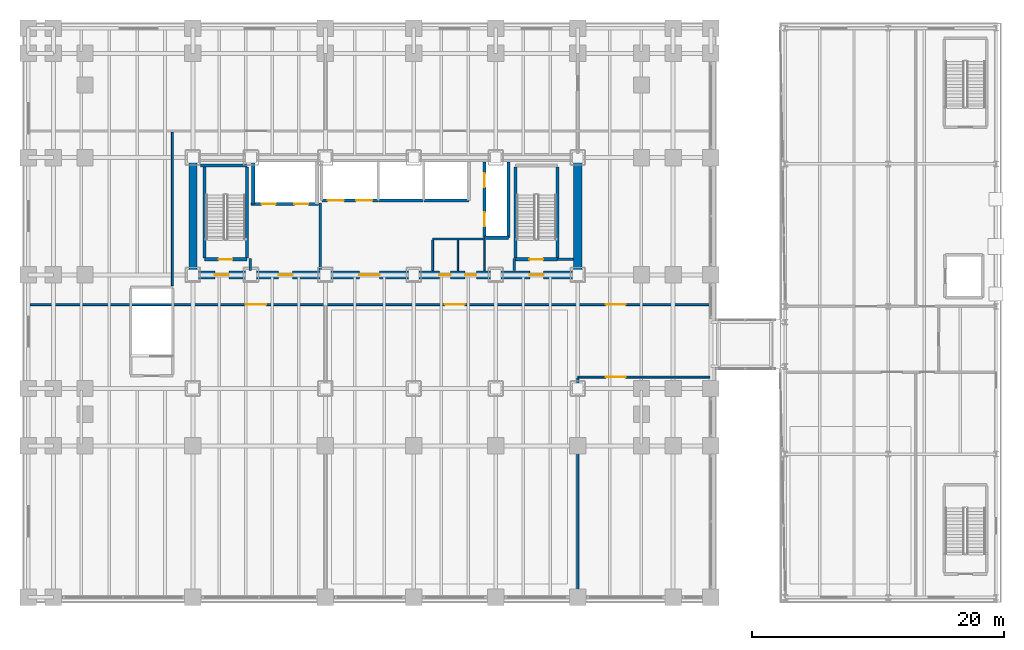
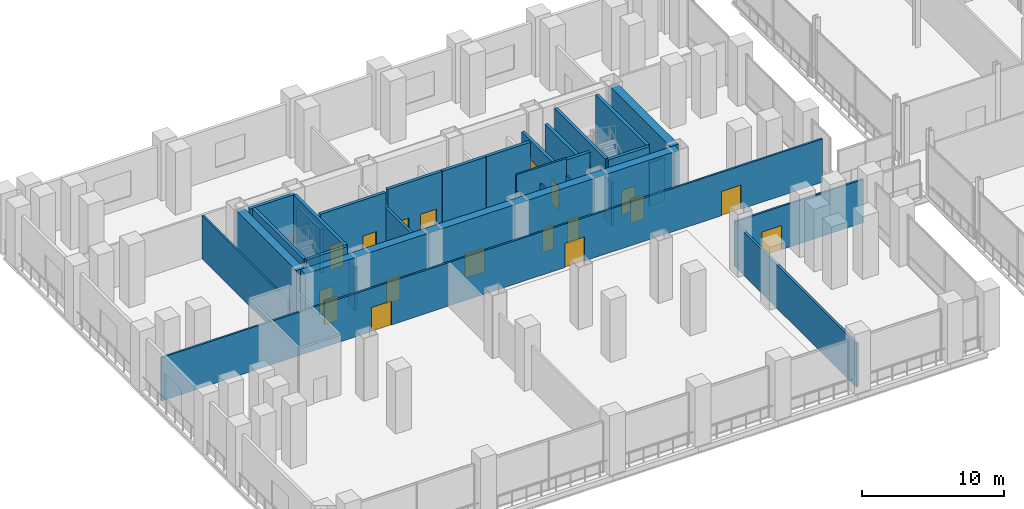
# One storey, part 22 of 30: 30 walls, 18 doors, 18 openings.
"""IFC4 building model written with IfcOpenShell, lengths in metres."""

import ifcopenshell
import ifcopenshell.guid

model = None  # the IFC model being written
_history = None  # IfcOwnerHistory: only IFC2X3 demands one
_inside = {}  # id of a spatial element -> (the spatial element, [elements in it])
_under = {}  # id of a project, library or spatial element -> (it, [spatial elements below it])
_declared = {}  # id of a project -> (the project, [libraries it declares])
_typed = {}  # id of a type object -> (the type object, [elements of that type])
_made_of = {}  # id of a material, layer set ... -> (it, [elements and type objects made of it])


def new_model(schema):
    """Start an empty IFC model of exactly this schema.

    Asked for "IFC4X3", IfcOpenShell would pick the latest addendum, in which some entities
    have other attributes; the version numbers below select the first issue.
    IFC2X3 requires an IfcOwnerHistory on every rooted entity: one is made here for all.
    """
    global model, _history
    if schema == "IFC4X3":
        model = ifcopenshell.file(schema_version=(4, 3, 0, 0))
    else:
        model = ifcopenshell.file(schema=schema)
    _inside.clear()
    _under.clear()
    _declared.clear()
    _typed.clear()
    _made_of.clear()
    _history = None
    if model.schema == "IFC2X3":
        org = make("IfcOrganization", Name="unknown")
        user = make(
            "IfcPersonAndOrganization",
            ThePerson=make("IfcPerson", FamilyName="unknown"),
            TheOrganization=org,
        )
        app = make(
            "IfcApplication",
            ApplicationDeveloper=org,
            Version="unknown",
            ApplicationFullName="unknown",
            ApplicationIdentifier="unknown",
        )
        _history = make(
            "IfcOwnerHistory",
            OwningUser=user,
            OwningApplication=app,
            ChangeAction="ADDED",
            CreationDate=0,
        )
    return model


def make(cls, **values):
    """One entity of the class cls with the attributes given. An attribute that is None is left unset."""
    return model.create_entity(
        cls, **{name: value for name, value in values.items() if value is not None}
    )


def rooted(cls, **values):
    """An entity with a GlobalId (a new one), such as an element, a storey or a relation."""
    return make(cls, GlobalId=ifcopenshell.guid.new(), OwnerHistory=_history, **values)


def si_unit(unit_type, name, prefix=None):
    """IfcSIUnit, for example si_unit("LENGTHUNIT", "METRE", prefix="MILLI")."""
    return make("IfcSIUnit", UnitType=unit_type, Prefix=prefix, Name=name)


def assignment(units):
    """IfcUnitAssignment: the units of a project."""
    return None if units is None else make("IfcUnitAssignment", Units=units)


def point(xyz):
    """IfcCartesianPoint."""
    return None if xyz is None else make("IfcCartesianPoint", Coordinates=xyz)


def direction(xyz):
    """IfcDirection."""
    return None if xyz is None else make("IfcDirection", DirectionRatios=xyz)


def frame(location, z_axis=None, x_axis=None):
    """IfcAxis2Placement3D, a coordinate frame: its origin and axes. An axis left out is left unset."""
    return make(
        "IfcAxis2Placement3D",
        Location=point(location),
        Axis=direction(z_axis),
        RefDirection=direction(x_axis),
    )


def frame_2d(location, x_axis=None):
    """IfcAxis2Placement2D, a coordinate frame in the plane: its origin and x axis."""
    return make(
        "IfcAxis2Placement2D", Location=point(location), RefDirection=direction(x_axis)
    )


def origin():
    """The frame at (0, 0, 0) with its axes left unset."""
    return frame((0.0, 0.0, 0.0))


def place(relative_to, where):
    """IfcLocalPlacement: puts the frame where relative to a parent placement (None: the world)."""
    return make(
        "IfcLocalPlacement", PlacementRelTo=relative_to, RelativePlacement=where
    )


def context(
    kind, dimensions, precision=None, world=None, true_north=None, identifier=None
):
    """IfcGeometricRepresentationContext, for example the 3D "Model" context."""
    return make(
        "IfcGeometricRepresentationContext",
        ContextIdentifier=identifier,
        ContextType=kind,
        CoordinateSpaceDimension=dimensions,
        Precision=precision,
        WorldCoordinateSystem=world,
        TrueNorth=true_north,
    )


def subcontext(parent, identifier, kind, view, scale=None):
    """IfcGeometricRepresentationSubContext, for example "Body" below "Model"."""
    return make(
        "IfcGeometricRepresentationSubContext",
        ContextIdentifier=identifier,
        ContextType=kind,
        ParentContext=parent,
        TargetScale=scale,
        TargetView=view,
    )


def project(units=None, contexts=None):
    """IfcProject with its units and contexts."""
    return rooted(
        "IfcProject",
        Name="project",
        RepresentationContexts=contexts,
        UnitsInContext=assignment(units),
    )


def spatial(cls, under=None, at=None, **own):
    """A site, building, storey or space (cls), placed at a placement, below another one or the project."""
    s = rooted(cls, ObjectPlacement=at, **own)
    if under is not None:
        _under.setdefault(under.id(), (under, []))[1].append(s)
    return s


def profile(cls, at=None, kind="AREA", **sizes):
    """A parametric profile (cls). Its sizes go by their IFC names, for example OverallWidth=200.0."""
    return make(cls, ProfileType=kind, Position=at, **sizes)


def rectangle(**sizes):
    """IfcRectangleProfileDef."""
    return profile("IfcRectangleProfileDef", **sizes)


def extrude(swept, where, along, depth):
    """IfcExtrudedAreaSolid: the profile swept, set in the frame where, extruded along a direction by depth."""
    return make(
        "IfcExtrudedAreaSolid",
        SweptArea=swept,
        Position=where,
        ExtrudedDirection=direction(along),
        Depth=depth,
    )


def shape(context_of_items, identifier, shape_type, items):
    """IfcShapeRepresentation: the items that make up one representation, for example the "Body"."""
    return make(
        "IfcShapeRepresentation",
        ContextOfItems=context_of_items,
        RepresentationIdentifier=identifier,
        RepresentationType=shape_type,
        Items=items,
    )


def material(Name=None, Category=None):
    """IfcMaterial."""
    return make("IfcMaterial", Name=Name, Category=Category)


def layer(
    of_material, thickness, ventilated=None, Name=None, Category=None, Priority=None
):
    """IfcMaterialLayer: one layer of a wall or slab, of a material (None: an air gap)."""
    return make(
        "IfcMaterialLayer",
        Material=of_material,
        LayerThickness=thickness,
        IsVentilated=ventilated,
        Name=Name,
        Category=Category,
        Priority=Priority,
    )


def layer_set(layers, Name=None):
    """IfcMaterialLayerSet."""
    return make("IfcMaterialLayerSet", MaterialLayers=layers, LayerSetName=Name)


def made_of(thing, what):
    """Note that an element or type object is made of a material, layer set ...; save() writes the relation."""
    if what is not None:
        _made_of.setdefault(what.id(), (what, []))[1].append(thing)
    return thing


def type_object(cls, material=None, **own):
    """A type object (cls), such as IfcWallType, which elements share."""
    return made_of(rooted(cls, **own), material)


def element(
    cls,
    number,
    at=None,
    inside=None,
    cuts=None,
    type_object=None,
    material=None,
    context=None,
    identifier="Body",
    shape_type=None,
    held_by="IfcProductDefinitionShape",
    body=None,
    shapes=None,
    **own,
):
    """One element of the class cls, such as IfcWall. Its Tag is "e" and its number.

    at: its placement. inside: the storey or other place that contains it. cuts: it is an
    opening in that element (IfcRelVoidsElement). A single representation is given by context,
    identifier, shape_type and body (its items); several are given by shapes. held_by: the class
    of the entity that holds the representations. save() writes the other relations.
    """
    e = rooted(cls, Tag="e%d" % number, ObjectPlacement=at, **own)
    if body is not None:
        shapes = [shape(context, identifier, shape_type, body)]
    if shapes is not None:
        e.Representation = make(held_by, Representations=shapes)
    if inside is not None:
        _inside.setdefault(inside.id(), (inside, []))[1].append(e)
    if cuts is not None:
        rooted(
            "IfcRelVoidsElement", RelatingBuildingElement=cuts, RelatedOpeningElement=e
        )
    if type_object is not None:
        _typed.setdefault(type_object.id(), (type_object, []))[1].append(e)
    return made_of(e, material)


def fill(opening, filler):
    """IfcRelFillsElement: the door or window that sits in an opening."""
    return rooted(
        "IfcRelFillsElement",
        RelatingOpeningElement=opening,
        RelatedBuildingElement=filler,
    )


def aggregate(whole, parts):
    """IfcRelAggregates: a whole, such as a stair, and the parts it consists of."""
    return rooted("IfcRelAggregates", RelatingObject=whole, RelatedObjects=parts)


def save(model, path):
    """Write the relations noted so far, then the file.

    IfcRelAggregates (storeys below a building ...), IfcRelContainedInSpatialStructure (elements
    in a storey), IfcRelDefinesByType, IfcRelAssociatesMaterial and IfcRelDeclares: one each for
    every whole, place, type object, material and project.
    """
    for whole, parts in _under.values():
        aggregate(whole, parts)
    for where, things in _inside.values():
        rooted(
            "IfcRelContainedInSpatialStructure",
            RelatedElements=things,
            RelatingStructure=where,
        )
    for kind, things in _typed.values():
        rooted("IfcRelDefinesByType", RelatedObjects=things, RelatingType=kind)
    for what, things in _made_of.values():
        rooted("IfcRelAssociatesMaterial", RelatedObjects=things, RelatingMaterial=what)
    for by, libraries in _declared.values():
        rooted("IfcRelDeclares", RelatingContext=by, RelatedDefinitions=libraries)
    model.write(path)


model = new_model("IFC4")

# Units and contexts
model_context = context("Model", 3, precision=1e-05, world=origin(), true_north=direction((0.0, 1.0)))
body_context = subcontext(model_context, "Body", "Model", "MODEL_VIEW")
ifc_project = project(units=[si_unit("LENGTHUNIT", "METRE"), si_unit("AREAUNIT", "SQUARE_METRE"), si_unit("VOLUMEUNIT", "CUBIC_METRE"), si_unit("PLANEANGLEUNIT", "RADIAN"), si_unit("MASSUNIT", "GRAM", prefix="KILO")], contexts=[model_context])

# Site, building, storey
site_placement = place(None, origin())
site = spatial("IfcSite", under=ifc_project, at=site_placement, CompositionType="ELEMENT")
building_placement = place(site_placement, origin())
building = spatial("IfcBuilding", under=site, at=building_placement, Name="Noeulbin Bourse Tower", CompositionType="ELEMENT")
storey_placement = place(building_placement, frame((0.0, 0.0, 16.60009765625)))
storey = spatial("IfcBuildingStorey", under=building, at=storey_placement, Name="L04", CompositionType="ELEMENT", Elevation=16.60009765625)

# Wall, openings, doors
ifc_material_1 = material(Name="Concrete C60/75", Category="concrete")
ifc_layer_1 = layer(ifc_material_1, 0.64990234375)
ifc_layer_set_1 = layer_set([ifc_layer_1], Name="Concrete C60/75")
wall_type_1 = type_object("IfcWallType", Name="WAL-CORE-650", PredefinedType="SHEAR", material=ifc_layer_set_1)
wall_1_placement = place(storey_placement, frame((13.5, 29.0, 0.0), z_axis=(0.0, 0.0, 1.0), x_axis=(1.0, 0.0, 0.0)))
wall_1 = element("IfcWall", 1, at=wall_1_placement, inside=storey, type_object=wall_type_1, Name="Rear Core South Shear Wall L04", PredefinedType="SHEAR", context=body_context, shape_type="SweptSolid", body=[
    extrude(rectangle(XDim=30.5, YDim=0.64990234375, at=frame_2d((15.25, 0.0))), origin(), (0.0, 0.0, 1.0), 5.159912109375),
])
opening_1_placement = place(wall_1_placement, frame((1.75, 0.0, 0.0)))
opening_1 = element("IfcOpeningElement", 2, at=opening_1_placement, cuts=wall_1, Name="Opening FD-11", PredefinedType="OPENING", context=body_context, shape_type="SweptSolid", body=[
    extrude(rectangle(XDim=1.10009765625, YDim=2.080078125, at=frame_2d((0.550048828125, 1.0400390625))), frame((0.0, 0.3349609375, 0.0), z_axis=(0.0, -1.0, 0.0), x_axis=(1.0, 0.0, 0.0)), (0.0, 0.0, 1.0), 0.669921875),
])
opening_2_placement = place(wall_1_placement, frame((26.699951171875, 0.0, 0.0)))
opening_2 = element("IfcOpeningElement", 3, at=opening_2_placement, cuts=wall_1, Name="Opening FD-11", PredefinedType="OPENING", context=body_context, shape_type="SweptSolid", body=[
    extrude(rectangle(XDim=1.10009765625, YDim=2.080078125, at=frame_2d((0.550048828125, 1.0400390625))), frame((0.0, 0.3349609375, 0.0), z_axis=(0.0, -1.0, 0.0), x_axis=(1.0, 0.0, 0.0)), (0.0, 0.0, 1.0), 0.669921875),
])
opening_3_placement = place(wall_1_placement, frame((6.800048828125, 0.0, 0.0)))
opening_3 = element("IfcOpeningElement", 4, at=opening_3_placement, cuts=wall_1, Name="Opening FD-11", PredefinedType="OPENING", context=body_context, shape_type="SweptSolid", body=[
    extrude(rectangle(XDim=1.10009765625, YDim=2.080078125, at=frame_2d((0.550048828125, 1.0400390625))), frame((0.0, 0.3349609375, 0.0), z_axis=(0.0, -1.0, 0.0), x_axis=(1.0, 0.0, 0.0)), (0.0, 0.0, 1.0), 0.669921875),
])
opening_4_placement = place(wall_1_placement, frame((13.199951171875, 0.0, 0.0)))
opening_4 = element("IfcOpeningElement", 5, at=opening_4_placement, cuts=wall_1, Name="Opening ID-16", PredefinedType="OPENING", context=body_context, shape_type="SweptSolid", body=[
    extrude(rectangle(XDim=1.60009765625, YDim=2.080078125, at=frame_2d((0.800048828125, 1.0400390625))), frame((0.0, 0.3349609375, 0.0), z_axis=(0.0, -1.0, 0.0), x_axis=(1.0, 0.0, 0.0)), (0.0, 0.0, 1.0), 0.669921875),
])
opening_5_placement = place(wall_1_placement, frame((19.530029296875, 0.0, 0.0)))
opening_5 = element("IfcOpeningElement", 6, at=opening_5_placement, cuts=wall_1, Name="Opening FD-09", PredefinedType="OPENING", context=body_context, shape_type="SweptSolid", body=[
    extrude(rectangle(XDim=0.89990234375, YDim=2.080078125, at=frame_2d((0.449951171875, 1.0400390625))), frame((0.0, 0.3349609375, 0.0), z_axis=(0.0, -1.0, 0.0), x_axis=(1.0, 0.0, 0.0)), (0.0, 0.0, 1.0), 0.669921875),
])
opening_6_placement = place(wall_1_placement, frame((21.570068359375, 0.0, 0.0)))
opening_6 = element("IfcOpeningElement", 7, at=opening_6_placement, cuts=wall_1, Name="Opening FD-09", PredefinedType="OPENING", context=body_context, shape_type="SweptSolid", body=[
    extrude(rectangle(XDim=0.89990234375, YDim=2.080078125, at=frame_2d((0.449951171875, 1.0400390625))), frame((0.0, 0.3349609375, 0.0), z_axis=(0.0, -1.0, 0.0), x_axis=(1.0, 0.0, 0.0)), (0.0, 0.0, 1.0), 0.669921875),
])
ifc_material_2 = material(Name="Acoustic Glazed Aluminium", Category="aluminium")
door_type_1 = type_object("IfcDoorType", Name="DR-DBL-1600", OperationType="DOUBLE_DOOR_SINGLE_SWING", PredefinedType="DOOR", material=ifc_material_2)
door_1_placement = place(opening_4_placement, origin())
door_1 = element("IfcDoor", 8, at=door_1_placement, inside=storey, type_object=door_type_1, Name="Passenger Lift Lobby Portal L04", OperationType="DOUBLE_DOOR_SINGLE_SWING", OverallHeight=2.080078125, OverallWidth=1.60009765625, PredefinedType="DOOR", context=body_context, shape_type="SweptSolid", body=[
    extrude(rectangle(XDim=1.60009765625, YDim=2.080078125, at=frame_2d((0.800048828125, 1.0400390625))), frame((0.0, 0.02490234375, 0.0), z_axis=(0.0, -1.0, 0.0), x_axis=(1.0, 0.0, 0.0)), (0.0, 0.0, 1.0), 0.050048828125),
])
fill(opening_4, door_1)
ifc_material_3 = material(Name="Fire-Rated Timber Core", Category="wood")
door_type_2 = type_object("IfcDoorType", Name="DR-FD30-900", OperationType="SINGLE_SWING_RIGHT", PredefinedType="DOOR", material=ifc_material_3)
door_2_placement = place(opening_5_placement, origin())
door_2 = element("IfcDoor", 9, at=door_2_placement, inside=storey, type_object=door_type_2, Name="Interior Door L04-17", OperationType="SINGLE_SWING_LEFT", OverallHeight=2.080078125, OverallWidth=0.89990234375, PredefinedType="DOOR", context=body_context, shape_type="SweptSolid", body=[
    extrude(rectangle(XDim=0.89990234375, YDim=2.080078125, at=frame_2d((0.449951171875, 1.0400390625))), frame((0.0, 0.02490234375, 0.0), z_axis=(0.0, -1.0, 0.0), x_axis=(1.0, 0.0, 0.0)), (0.0, 0.0, 1.0), 0.050048828125),
])
fill(opening_5, door_2)
door_3_placement = place(opening_6_placement, origin())
door_3 = element("IfcDoor", 10, at=door_3_placement, inside=storey, type_object=door_type_2, Name="Interior Door L04-18", OperationType="SINGLE_SWING_RIGHT", OverallHeight=2.080078125, OverallWidth=0.89990234375, PredefinedType="DOOR", context=body_context, shape_type="SweptSolid", body=[
    extrude(rectangle(XDim=0.89990234375, YDim=2.080078125, at=frame_2d((0.449951171875, 1.0400390625))), frame((0.0, 0.02490234375, 0.0), z_axis=(0.0, -1.0, 0.0), x_axis=(1.0, 0.0, 0.0)), (0.0, 0.0, 1.0), 0.050048828125),
])
fill(opening_6, door_3)
ifc_material_4 = material(Name="Fire-Rated Insulated Steel", Category="steel")
door_type_3 = type_object("IfcDoorType", Name="DR-FD60-1100", OperationType="SINGLE_SWING_LEFT", PredefinedType="DOOR", material=ifc_material_4)
door_4_placement = place(opening_1_placement, origin())
door_4 = element("IfcDoor", 11, at=door_4_placement, inside=storey, type_object=door_type_3, Name="West Stair Lobby Door L04", OperationType="SINGLE_SWING_LEFT", OverallHeight=2.080078125, OverallWidth=1.10009765625, PredefinedType="DOOR", context=body_context, shape_type="SweptSolid", body=[
    extrude(rectangle(XDim=1.10009765625, YDim=2.080078125, at=frame_2d((0.550048828125, 1.0400390625))), frame((0.0, 0.02490234375, 0.0), z_axis=(0.0, -1.0, 0.0), x_axis=(1.0, 0.0, 0.0)), (0.0, 0.0, 1.0), 0.050048828125),
])
fill(opening_1, door_4)
door_5_placement = place(opening_2_placement, origin())
door_5 = element("IfcDoor", 12, at=door_5_placement, inside=storey, type_object=door_type_3, Name="East Stair Lobby Door L04", OperationType="SINGLE_SWING_RIGHT", OverallHeight=2.080078125, OverallWidth=1.10009765625, PredefinedType="DOOR", context=body_context, shape_type="SweptSolid", body=[
    extrude(rectangle(XDim=1.10009765625, YDim=2.080078125, at=frame_2d((0.550048828125, 1.0400390625))), frame((0.0, 0.02490234375, 0.0), z_axis=(0.0, -1.0, 0.0), x_axis=(1.0, 0.0, 0.0)), (0.0, 0.0, 1.0), 0.050048828125),
])
fill(opening_2, door_5)
door_6_placement = place(opening_3_placement, origin())
door_6 = element("IfcDoor", 13, at=door_6_placement, inside=storey, type_object=door_type_3, Name="Firefighting Lobby Door L04", OperationType="SINGLE_SWING_LEFT", OverallHeight=2.080078125, OverallWidth=1.10009765625, PredefinedType="DOOR", context=body_context, shape_type="SweptSolid", body=[
    extrude(rectangle(XDim=1.10009765625, YDim=2.080078125, at=frame_2d((0.550048828125, 1.0400390625))), frame((0.0, 0.02490234375, 0.0), z_axis=(0.0, -1.0, 0.0), x_axis=(1.0, 0.0, 0.0)), (0.0, 0.0, 1.0), 0.050048828125),
])
fill(opening_3, door_6)

# Walls
for number, where, z_axis, x_axis, name in (
    (14, (13.5, 29.35009765625, 0.0), (0.0, 0.0, 1.0), (0.0, 1.0, 0.0), "Rear Core West Shear Wall L04"),
    (15, (44.0, 29.35009765625, 0.0), (0.0, 0.0, 1.0), (0.0, 1.0, 0.0), "Rear Core East Shear Wall L04"),
):
    element("IfcWall", number, at=place(storey_placement, frame(where, z_axis=z_axis, x_axis=x_axis)), inside=storey, type_object=wall_type_1, Name=name, PredefinedType="SHEAR", context=body_context, shape_type="SweptSolid", body=[
        extrude(rectangle(XDim=8.599853515625, YDim=0.64990234375, at=frame_2d((4.2998046875, 0.0))), origin(), (0.0, 0.0, 1.0), 5.159912109375),
    ])
ifc_material_5 = material(Name="Concrete C40/50", Category="concrete")
ifc_layer_2 = layer(ifc_material_5, 0.199951171875)
ifc_layer_set_2 = layer_set([ifc_layer_2], Name="Concrete C40/50")
wall_type_2 = type_object("IfcWallType", Name="WAL-FIRE-200", PredefinedType="STANDARD", material=ifc_layer_set_2)
wall_2_placement = place(storey_placement, frame((42.39990234375, 30.239990234375, 0.0), z_axis=(0.0, 0.0, 1.0), x_axis=(1.0, 0.0, 0.0)))
element("IfcWall", 16, at=wall_2_placement, inside=storey, type_object=wall_type_2, Name="Interior Partition Wall L04-06", PredefinedType="STANDARD", context=body_context, shape_type="SweptSolid", body=[
    extrude(rectangle(XDim=1.26513671875, YDim=0.199951171875, at=frame_2d((0.632568359375, 0.0))), origin(), (0.0, 0.0, 1.0), 3.739990234375),
])
wall_3_placement = place(storey_placement, frame((44.0, 3.530029296875, 0.0), z_axis=(0.0, 0.0, 1.0), x_axis=(0.0, 1.0, 0.0)))
element("IfcWall", 17, at=wall_3_placement, inside=storey, type_object=wall_type_2, Name="Interior Partition Wall L04-09", PredefinedType="STANDARD", context=body_context, shape_type="SweptSolid", body=[
    extrude(rectangle(XDim=17.284912109375, YDim=0.199951171875, at=frame_2d((8.642578125, 0.0))), origin(), (0.0, 0.0, 1.0), 3.739990234375),
])
for number, where, z_axis, x_axis, name in (
    (18, (18.050048828125, 29.3349609375, 0.0), (0.0, 0.0, 1.0), (0.0, 1.0, 0.0), "Interior Partition Wall L04-17"),
    (19, (38.949951171875, 29.3349609375, 0.0), (0.0, 0.0, 1.0), (0.0, 1.0, 0.0), "Interior Partition Wall L04-18"),
):
    element("IfcWall", number, at=place(storey_placement, frame(where, z_axis=z_axis, x_axis=x_axis)), inside=storey, type_object=wall_type_2, Name=name, PredefinedType="STANDARD", context=body_context, shape_type="SweptSolid", body=[
        extrude(rectangle(XDim=0.965087890625, YDim=0.199951171875, at=frame_2d((0.482421875, 0.0))), origin(), (0.0, 0.0, 1.0), 3.739990234375),
    ])
wall_4_placement = place(storey_placement, frame((23.60009765625, 29.3349609375, 0.0), z_axis=(0.0, 0.0, 1.0), x_axis=(0.0, 1.0, 0.0)))
element("IfcWall", 20, at=wall_4_placement, inside=storey, type_object=wall_type_2, Name="Interior Partition Wall L04-19", PredefinedType="STANDARD", context=body_context, shape_type="SweptSolid", body=[
    extrude(rectangle(XDim=5.364990234375, YDim=0.199951171875, at=frame_2d((2.6826171875, 0.0))), origin(), (0.0, 0.0, 1.0), 3.739990234375),
])
ifc_material_6 = material(Name="Steel Stud Gypsum Partition", Category="steel")
ifc_layer_3 = layer(ifc_material_6, 0.1201171875)
ifc_layer_set_3 = layer_set([ifc_layer_3], Name="Steel Stud Gypsum Partition")
wall_type_3 = type_object("IfcWallType", Name="WAL-PRT-120", PredefinedType="PARTITIONING", material=ifc_layer_set_3)
for number, where, z_axis, x_axis, name in (
    (21, (36.60009765625, 29.3349609375, 0.0), (0.0, 0.0, 1.0), (0.0, 1.0, 0.0), "Interior Partition Wall L04-21"),
    (22, (34.5, 29.3349609375, 0.0), (0.0, 0.0, 1.0), (0.0, 1.0, 0.0), "Interior Partition Wall L04-22"),
):
    element("IfcWall", number, at=place(storey_placement, frame(where, z_axis=z_axis, x_axis=x_axis)), inside=storey, type_object=wall_type_3, Name=name, PredefinedType="PARTITIONING", context=body_context, shape_type="SweptSolid", body=[
        extrude(rectangle(XDim=2.429931640625, YDim=0.1201171875, at=frame_2d((1.21484375, 0.0))), origin(), (0.0, 0.0, 1.0), 3.739990234375),
    ])

# Wall, openings, doors
ifc_material_7 = material(Name="Steel Stud Acoustic Gypsum Board", Category="steel")
ifc_layer_4 = layer(ifc_material_7, 0.14990234375)
ifc_layer_set_4 = layer_set([ifc_layer_4], Name="Steel Stud Acoustic Gypsum Board")
wall_type_4 = type_object("IfcWallType", Name="WAL-PRT-150", PredefinedType="PARTITIONING", material=ifc_layer_set_4)
wall_5_placement = place(storey_placement, frame((0.580078125, 26.64990234375, 0.0), z_axis=(0.0, 0.0, 1.0), x_axis=(1.0, 0.0, 0.0)))
wall_5 = element("IfcWall", 23, at=wall_5_placement, inside=storey, type_object=wall_type_4, Name="Interior Partition Wall L04-01", PredefinedType="PARTITIONING", context=body_context, shape_type="SweptSolid", body=[
    extrude(rectangle(XDim=53.889892578125, YDim=0.14990234375, at=frame_2d((26.94482421875, 0.0))), origin(), (0.0, 0.0, 1.0), 3.739990234375),
])
opening_7_placement = place(wall_5_placement, frame((17.1201171875, 0.0, 0.0)))
opening_7 = element("IfcOpeningElement", 24, at=opening_7_placement, cuts=wall_5, Name="Opening ID-16", PredefinedType="OPENING", context=body_context, shape_type="SweptSolid", body=[
    extrude(rectangle(XDim=1.60009765625, YDim=2.080078125, at=frame_2d((0.800048828125, 1.0400390625))), frame((0.0, 0.0849609375, 0.0), z_axis=(0.0, -1.0, 0.0), x_axis=(1.0, 0.0, 0.0)), (0.0, 0.0, 1.0), 0.169921875),
])
opening_8_placement = place(wall_5_placement, frame((32.8701171875, 0.0, 0.0)))
opening_8 = element("IfcOpeningElement", 25, at=opening_8_placement, cuts=wall_5, Name="Opening ID-16", PredefinedType="OPENING", context=body_context, shape_type="SweptSolid", body=[
    extrude(rectangle(XDim=1.60009765625, YDim=2.080078125, at=frame_2d((0.800048828125, 1.0400390625))), frame((0.0, 0.0849609375, 0.0), z_axis=(0.0, -1.0, 0.0), x_axis=(1.0, 0.0, 0.0)), (0.0, 0.0, 1.0), 0.169921875),
])
opening_9_placement = place(wall_5_placement, frame((45.6201171875, 0.0, 0.0)))
opening_9 = element("IfcOpeningElement", 26, at=opening_9_placement, cuts=wall_5, Name="Opening ID-16", PredefinedType="OPENING", context=body_context, shape_type="SweptSolid", body=[
    extrude(rectangle(XDim=1.60009765625, YDim=2.080078125, at=frame_2d((0.800048828125, 1.0400390625))), frame((0.0, 0.0849609375, 0.0), z_axis=(0.0, -1.0, 0.0), x_axis=(1.0, 0.0, 0.0)), (0.0, 0.0, 1.0), 0.169921875),
])
door_7_placement = place(opening_7_placement, origin())
door_7 = element("IfcDoor", 27, at=door_7_placement, inside=storey, type_object=door_type_1, Name="Interior Door L04-01", OperationType="DOUBLE_DOOR_SINGLE_SWING", OverallHeight=2.080078125, OverallWidth=1.60009765625, PredefinedType="DOOR", context=body_context, shape_type="SweptSolid", body=[
    extrude(rectangle(XDim=1.60009765625, YDim=2.080078125, at=frame_2d((0.800048828125, 1.0400390625))), frame((0.0, 0.02490234375, 0.0), z_axis=(0.0, -1.0, 0.0), x_axis=(1.0, 0.0, 0.0)), (0.0, 0.0, 1.0), 0.050048828125),
])
fill(opening_7, door_7)
door_8_placement = place(opening_8_placement, origin())
door_8 = element("IfcDoor", 28, at=door_8_placement, inside=storey, type_object=door_type_1, Name="Interior Door L04-02", OperationType="DOUBLE_DOOR_SINGLE_SWING", OverallHeight=2.080078125, OverallWidth=1.60009765625, PredefinedType="DOOR", context=body_context, shape_type="SweptSolid", body=[
    extrude(rectangle(XDim=1.60009765625, YDim=2.080078125, at=frame_2d((0.800048828125, 1.0400390625))), frame((0.0, 0.02490234375, 0.0), z_axis=(0.0, -1.0, 0.0), x_axis=(1.0, 0.0, 0.0)), (0.0, 0.0, 1.0), 0.050048828125),
])
fill(opening_8, door_8)
door_9_placement = place(opening_9_placement, origin())
door_9 = element("IfcDoor", 29, at=door_9_placement, inside=storey, type_object=door_type_1, Name="Interior Door L04-04", OperationType="DOUBLE_DOOR_SINGLE_SWING", OverallHeight=2.080078125, OverallWidth=1.60009765625, PredefinedType="DOOR", context=body_context, shape_type="SweptSolid", body=[
    extrude(rectangle(XDim=1.60009765625, YDim=2.080078125, at=frame_2d((0.800048828125, 1.0400390625))), frame((0.0, 0.02490234375, 0.0), z_axis=(0.0, -1.0, 0.0), x_axis=(1.0, 0.0, 0.0)), (0.0, 0.0, 1.0), 0.050048828125),
])
fill(opening_9, door_9)

# Wall, opening, door
wall_6_placement = place(storey_placement, frame((44.0, 20.89990234375, 0.0), z_axis=(0.0, 0.0, 1.0), x_axis=(1.0, 0.0, 0.0)))
wall_6 = element("IfcWall", 30, at=wall_6_placement, inside=storey, type_object=wall_type_4, Name="Interior Partition Wall L04-02", PredefinedType="PARTITIONING", context=body_context, shape_type="SweptSolid", body=[
    extrude(rectangle(XDim=10.469970703125, YDim=0.14990234375, at=frame_2d((5.23486328125, 0.0))), origin(), (0.0, 0.0, 1.0), 3.739990234375),
])
opening_10_placement = place(wall_6_placement, frame((2.199951171875, 0.0, 0.0)))
opening_10 = element("IfcOpeningElement", 31, at=opening_10_placement, cuts=wall_6, Name="Opening ID-16", PredefinedType="OPENING", context=body_context, shape_type="SweptSolid", body=[
    extrude(rectangle(XDim=1.60009765625, YDim=2.080078125, at=frame_2d((0.800048828125, 1.0400390625))), frame((0.0, 0.0849609375, 0.0), z_axis=(0.0, -1.0, 0.0), x_axis=(1.0, 0.0, 0.0)), (0.0, 0.0, 1.0), 0.169921875),
])
door_10_placement = place(opening_10_placement, origin())
door_10 = element("IfcDoor", 32, at=door_10_placement, inside=storey, type_object=door_type_1, Name="Interior Door L04-03", OperationType="DOUBLE_DOOR_SINGLE_SWING", OverallHeight=2.080078125, OverallWidth=1.60009765625, PredefinedType="DOOR", context=body_context, shape_type="SweptSolid", body=[
    extrude(rectangle(XDim=1.60009765625, YDim=2.080078125, at=frame_2d((0.800048828125, 1.0400390625))), frame((0.0, 0.02490234375, 0.0), z_axis=(0.0, -1.0, 0.0), x_axis=(1.0, 0.0, 0.0)), (0.0, 0.0, 1.0), 0.050048828125),
])
fill(opening_10, door_10)

# Walls
wall_7_placement = place(storey_placement, frame((32.5, 31.85009765625, 0.0), z_axis=(0.0, 0.0, 1.0), x_axis=(1.0, 0.0, 0.0)))
element("IfcWall", 33, at=wall_7_placement, inside=storey, type_object=wall_type_4, Name="Interior Partition Wall L04-07", PredefinedType="PARTITIONING", context=body_context, shape_type="SweptSolid", body=[
    extrude(rectangle(XDim=4.10009765625, YDim=0.14990234375, at=frame_2d((2.050048828125, 0.0))), origin(), (0.0, 0.0, 1.0), 5.159912109375),
])
wall_8_placement = place(storey_placement, frame((11.8798828125, 28.14990234375, 0.0), z_axis=(0.0, 0.0, 1.0), x_axis=(0.0, 1.0, 0.0)))
element("IfcWall", 34, at=wall_8_placement, inside=storey, type_object=wall_type_4, Name="Interior Partition Wall L04-10", PredefinedType="PARTITIONING", context=body_context, shape_type="SweptSolid", body=[
    extrude(rectangle(XDim=12.1650390625, YDim=0.14990234375, at=frame_2d((6.08251953125, 0.0))), origin(), (0.0, 0.0, 1.0), 3.739990234375),
])
wall_9_placement = place(storey_placement, frame((32.5, 29.3349609375, 0.0), z_axis=(0.0, 0.0, 1.0), x_axis=(0.0, 1.0, 0.0)))
element("IfcWall", 35, at=wall_9_placement, inside=storey, type_object=wall_type_4, Name="Interior Partition Wall L04-20", PredefinedType="PARTITIONING", context=body_context, shape_type="SweptSolid", body=[
    extrude(rectangle(XDim=2.429931640625, YDim=0.14990234375, at=frame_2d((1.21484375, 0.0))), origin(), (0.0, 0.0, 1.0), 3.739990234375),
])

# Wall, opening, door
ifc_layer_5 = layer(ifc_material_5, 0.25)
ifc_layer_set_5 = layer_set([ifc_layer_5], Name="Concrete C40/50")
wall_type_5 = type_object("IfcWallType", Name="WAL-SHFT-250", PredefinedType="STANDARD", material=ifc_layer_set_5)
wall_10_placement = place(storey_placement, frame((14.429931640625, 30.235107421875, 0.0), z_axis=(0.0, 0.0, 1.0), x_axis=(1.0, 0.0, 0.0)))
wall_10 = element("IfcWall", 36, at=wall_10_placement, inside=storey, type_object=wall_type_5, Name="Stair ST-1 South Shaft Wall L04", PredefinedType="STANDARD", context=body_context, shape_type="SweptSolid", body=[
    extrude(rectangle(XDim=3.340087890625, YDim=0.25, at=frame_2d((1.669921875, 0.0))), origin(), (0.0, 0.0, 1.0), 5.159912109375),
])
opening_11_placement = place(wall_10_placement, frame((1.10009765625, 0.0, 0.0)))
opening_11 = element("IfcOpeningElement", 37, at=opening_11_placement, cuts=wall_10, Name="Opening FD-11", PredefinedType="OPENING", context=body_context, shape_type="SweptSolid", body=[
    extrude(rectangle(XDim=1.10009765625, YDim=2.080078125, at=frame_2d((0.550048828125, 1.0400390625))), frame((0.0, 0.135009765625, 0.0), z_axis=(0.0, -1.0, 0.0), x_axis=(1.0, 0.0, 0.0)), (0.0, 0.0, 1.0), 0.27001953125),
])
door_11_placement = place(opening_11_placement, origin())
door_11 = element("IfcDoor", 38, at=door_11_placement, inside=storey, type_object=door_type_3, Name="Protected Stair Entry Door ST1-L04", OperationType="SINGLE_SWING_LEFT", OverallHeight=2.080078125, OverallWidth=1.10009765625, PredefinedType="DOOR", context=body_context, shape_type="SweptSolid", body=[
    extrude(rectangle(XDim=1.10009765625, YDim=2.080078125, at=frame_2d((0.550048828125, 1.0400390625))), frame((0.0, 0.02490234375, 0.0), z_axis=(0.0, -1.0, 0.0), x_axis=(1.0, 0.0, 0.0)), (0.0, 0.0, 1.0), 0.050048828125),
])
fill(opening_11, door_11)

# Walls
wall_11_placement = place(storey_placement, frame((14.10009765625, 37.6689453125, 0.0), z_axis=(0.0, 0.0, 1.0), x_axis=(1.0, 0.0, 0.0)))
element("IfcWall", 39, at=wall_11_placement, inside=storey, type_object=wall_type_5, Name="Stair ST-1 North Shaft Wall L04", PredefinedType="STANDARD", context=body_context, shape_type="SweptSolid", body=[
    extrude(rectangle(XDim=3.669921875, YDim=0.25, at=frame_2d((1.8349609375, 0.0))), origin(), (0.0, 0.0, 1.0), 5.159912109375),
])
for number, where, z_axis, x_axis, name in (
    (40, (14.425048828125, 30.360107421875, 0.0), (0.0, 0.0, 1.0), (0.0, 1.0, 0.0), "Stair ST-1 West Shaft Wall L04"),
    (41, (17.77490234375, 30.360107421875, 0.0), (0.0, 0.0, 1.0), (0.0, 1.0, 0.0), "Stair ST-1 East Shaft Wall L04"),
):
    element("IfcWall", number, at=place(storey_placement, frame(where, z_axis=z_axis, x_axis=x_axis)), inside=storey, type_object=wall_type_5, Name=name, PredefinedType="STANDARD", context=body_context, shape_type="SweptSolid", body=[
        extrude(rectangle(XDim=7.183837890625, YDim=0.25, at=frame_2d((3.591796875, 0.0))), origin(), (0.0, 0.0, 1.0), 5.159912109375),
    ])

# Wall, opening, door
wall_12_placement = place(storey_placement, frame((39.06005859375, 30.235107421875, 0.0), z_axis=(0.0, 0.0, 1.0), x_axis=(1.0, 0.0, 0.0)))
wall_12 = element("IfcWall", 42, at=wall_12_placement, inside=storey, type_object=wall_type_5, Name="Stair ST-2 South Shaft Wall L04", PredefinedType="STANDARD", context=body_context, shape_type="SweptSolid", body=[
    extrude(rectangle(XDim=3.33984375, YDim=0.25, at=frame_2d((1.669921875, 0.0))), origin(), (0.0, 0.0, 1.0), 5.159912109375),
])
opening_12_placement = place(wall_12_placement, frame((1.10009765625, 0.0, 0.0)))
opening_12 = element("IfcOpeningElement", 43, at=opening_12_placement, cuts=wall_12, Name="Opening FD-11", PredefinedType="OPENING", context=body_context, shape_type="SweptSolid", body=[
    extrude(rectangle(XDim=1.10009765625, YDim=2.080078125, at=frame_2d((0.550048828125, 1.0400390625))), frame((0.0, 0.135009765625, 0.0), z_axis=(0.0, -1.0, 0.0), x_axis=(1.0, 0.0, 0.0)), (0.0, 0.0, 1.0), 0.27001953125),
])
door_12_placement = place(opening_12_placement, origin())
door_12 = element("IfcDoor", 44, at=door_12_placement, inside=storey, type_object=door_type_3, Name="Protected Stair Entry Door ST2-L04", OperationType="SINGLE_SWING_RIGHT", OverallHeight=2.080078125, OverallWidth=1.10009765625, PredefinedType="DOOR", context=body_context, shape_type="SweptSolid", body=[
    extrude(rectangle(XDim=1.10009765625, YDim=2.080078125, at=frame_2d((0.550048828125, 1.0400390625))), frame((0.0, 0.02490234375, 0.0), z_axis=(0.0, -1.0, 0.0), x_axis=(1.0, 0.0, 0.0)), (0.0, 0.0, 1.0), 0.050048828125),
])
fill(opening_12, door_12)

# Walls
for number, where, z_axis, x_axis, name in (
    (45, (39.054931640625, 30.360107421875, 0.0), (0.0, 0.0, 1.0), (0.0, 1.0, 0.0), "Stair ST-2 West Shaft Wall L04"),
    (46, (42.405029296875, 30.360107421875, 0.0), (0.0, 0.0, 1.0), (0.0, 1.0, 0.0), "Stair ST-2 East Shaft Wall L04"),
):
    element("IfcWall", number, at=place(storey_placement, frame(where, z_axis=z_axis, x_axis=x_axis)), inside=storey, type_object=wall_type_5, Name=name, PredefinedType="STANDARD", context=body_context, shape_type="SweptSolid", body=[
        extrude(rectangle(XDim=7.183837890625, YDim=0.25, at=frame_2d((3.591796875, 0.0))), origin(), (0.0, 0.0, 1.0), 5.159912109375),
    ])

# Wall, openings, doors
wall_13_placement = place(storey_placement, frame((18.10009765625, 34.6201171875, 0.0), z_axis=(0.0, 0.0, 1.0), x_axis=(1.0, 0.0, 0.0)))
wall_13 = element("IfcWall", 47, at=wall_13_placement, inside=storey, type_object=wall_type_5, Name="Firefighting Lift Shaft Front L04", PredefinedType="STANDARD", context=body_context, shape_type="SweptSolid", body=[
    extrude(rectangle(XDim=5.349853515625, YDim=0.25, at=frame_2d((2.6748046875, 0.0))), origin(), (0.0, 0.0, 1.0), 5.159912109375),
])
opening_13_placement = place(wall_13_placement, frame((0.85009765625, 0.0, 0.0)))
opening_13 = element("IfcOpeningElement", 48, at=opening_13_placement, cuts=wall_13, Name="Opening LD-11", PredefinedType="OPENING", context=body_context, shape_type="SweptSolid", body=[
    extrude(rectangle(XDim=1.10009765625, YDim=2.080078125, at=frame_2d((0.550048828125, 1.0400390625))), frame((0.0, 0.135009765625, 0.0), z_axis=(0.0, -1.0, 0.0), x_axis=(1.0, 0.0, 0.0)), (0.0, 0.0, 1.0), 0.27001953125),
])
opening_14_placement = place(wall_13_placement, frame((3.449951171875, 0.0, 0.0)))
opening_14 = element("IfcOpeningElement", 49, at=opening_14_placement, cuts=wall_13, Name="Opening LD-11", PredefinedType="OPENING", context=body_context, shape_type="SweptSolid", body=[
    extrude(rectangle(XDim=1.10009765625, YDim=2.080078125, at=frame_2d((0.550048828125, 1.0400390625))), frame((0.0, 0.135009765625, 0.0), z_axis=(0.0, -1.0, 0.0), x_axis=(1.0, 0.0, 0.0)), (0.0, 0.0, 1.0), 0.27001953125),
])
ifc_material_8 = material(Name="Brushed Stainless Steel 316", Category="steel")
door_type_4 = type_object("IfcDoorType", Name="DR-LIFT-1100", OperationType="SLIDING_TO_LEFT", PredefinedType="DOOR", material=ifc_material_8)
door_13_placement = place(opening_13_placement, origin())
door_13 = element("IfcDoor", 50, at=door_13_placement, inside=storey, type_object=door_type_4, Name="Lift Landing Door LD-FL-01-L04", OperationType="SLIDING_TO_LEFT", OverallHeight=2.080078125, OverallWidth=1.10009765625, PredefinedType="DOOR", context=body_context, shape_type="SweptSolid", body=[
    extrude(rectangle(XDim=1.10009765625, YDim=2.080078125, at=frame_2d((0.550048828125, 1.0400390625))), frame((0.0, 0.02490234375, 0.0), z_axis=(0.0, -1.0, 0.0), x_axis=(1.0, 0.0, 0.0)), (0.0, 0.0, 1.0), 0.050048828125),
])
fill(opening_13, door_13)
door_14_placement = place(opening_14_placement, origin())
door_14 = element("IfcDoor", 51, at=door_14_placement, inside=storey, type_object=door_type_4, Name="Lift Landing Door LD-FL-02-L04", OperationType="SLIDING_TO_LEFT", OverallHeight=2.080078125, OverallWidth=1.10009765625, PredefinedType="DOOR", context=body_context, shape_type="SweptSolid", body=[
    extrude(rectangle(XDim=1.10009765625, YDim=2.080078125, at=frame_2d((0.550048828125, 1.0400390625))), frame((0.0, 0.02490234375, 0.0), z_axis=(0.0, -1.0, 0.0), x_axis=(1.0, 0.0, 0.0)), (0.0, 0.0, 1.0), 0.050048828125),
])
fill(opening_14, door_14)

wall_14_placement = place(storey_placement, frame((36.6201171875, 31.949951171875, 0.0), z_axis=(0.0, 0.0, 1.0), x_axis=(0.0, 1.0, 0.0)))
wall_14 = element("IfcWall", 52, at=wall_14_placement, inside=storey, type_object=wall_type_5, Name="Service Lift Shaft Wall L04", PredefinedType="STANDARD", context=body_context, shape_type="SweptSolid", body=[
    extrude(rectangle(XDim=6.0, YDim=0.25, at=frame_2d((3.0, 0.0))), origin(), (0.0, 0.0, 1.0), 3.739990234375),
])
opening_15_placement = place(wall_14_placement, frame((0.89990234375, 0.0, 0.0)))
opening_15 = element("IfcOpeningElement", 53, at=opening_15_placement, cuts=wall_14, Name="Opening LD-11", PredefinedType="OPENING", context=body_context, shape_type="SweptSolid", body=[
    extrude(rectangle(XDim=1.10009765625, YDim=2.080078125, at=frame_2d((0.550048828125, 1.0400390625))), frame((0.0, 0.135009765625, 0.0), z_axis=(0.0, -1.0, 0.0), x_axis=(1.0, 0.0, 0.0)), (0.0, 0.0, 1.0), 0.27001953125),
])
opening_16_placement = place(wall_14_placement, frame((4.0, 0.0, 0.0)))
opening_16 = element("IfcOpeningElement", 54, at=opening_16_placement, cuts=wall_14, Name="Opening LD-11", PredefinedType="OPENING", context=body_context, shape_type="SweptSolid", body=[
    extrude(rectangle(XDim=1.10009765625, YDim=2.080078125, at=frame_2d((0.550048828125, 1.0400390625))), frame((0.0, 0.135009765625, 0.0), z_axis=(0.0, -1.0, 0.0), x_axis=(1.0, 0.0, 0.0)), (0.0, 0.0, 1.0), 0.27001953125),
])
door_15_placement = place(opening_15_placement, origin())
door_15 = element("IfcDoor", 55, at=door_15_placement, inside=storey, type_object=door_type_4, Name="Lift Landing Door LD-EL-01-L04", OperationType="SLIDING_TO_LEFT", OverallHeight=2.080078125, OverallWidth=1.10009765625, PredefinedType="DOOR", context=body_context, shape_type="SweptSolid", body=[
    extrude(rectangle(XDim=1.10009765625, YDim=2.080078125, at=frame_2d((0.550048828125, 1.0400390625))), frame((0.0, 0.02490234375, 0.0), z_axis=(0.0, -1.0, 0.0), x_axis=(1.0, 0.0, 0.0)), (0.0, 0.0, 1.0), 0.050048828125),
])
fill(opening_15, door_15)
door_16_placement = place(opening_16_placement, origin())
door_16 = element("IfcDoor", 56, at=door_16_placement, inside=storey, type_object=door_type_4, Name="Lift Landing Door LD-SV-01-L04", OperationType="SLIDING_TO_LEFT", OverallHeight=2.080078125, OverallWidth=1.10009765625, PredefinedType="DOOR", context=body_context, shape_type="SweptSolid", body=[
    extrude(rectangle(XDim=1.10009765625, YDim=2.080078125, at=frame_2d((0.550048828125, 1.0400390625))), frame((0.0, 0.02490234375, 0.0), z_axis=(0.0, -1.0, 0.0), x_axis=(1.0, 0.0, 0.0)), (0.0, 0.0, 1.0), 0.050048828125),
])
fill(opening_16, door_16)

# Walls
wall_15_placement = place(storey_placement, frame((38.52001953125, 31.949951171875, 0.0), z_axis=(0.0, 0.0, 1.0), x_axis=(0.0, 1.0, 0.0)))
element("IfcWall", 57, at=wall_15_placement, inside=storey, type_object=wall_type_5, Name="Service Lift East Shaft Wall L04", PredefinedType="STANDARD", context=body_context, shape_type="SweptSolid", body=[
    extrude(rectangle(XDim=6.0, YDim=0.25, at=frame_2d((3.0, 0.0))), origin(), (0.0, 0.0, 1.0), 3.739990234375),
])
wall_16_placement = place(storey_placement, frame((36.6201171875, 31.949951171875, 0.0), z_axis=(0.0, 0.0, 1.0), x_axis=(1.0, 0.0, 0.0)))
element("IfcWall", 58, at=wall_16_placement, inside=storey, type_object=wall_type_5, Name="Service Lift South Shaft Wall L04", PredefinedType="STANDARD", context=body_context, shape_type="SweptSolid", body=[
    extrude(rectangle(XDim=1.89990234375, YDim=0.25, at=frame_2d((0.949951171875, 0.0))), origin(), (0.0, 0.0, 1.0), 4.97998046875),
])
wall_17_placement = place(storey_placement, frame((18.280029296875, 34.6201171875, 0.0), z_axis=(0.0, 0.0, 1.0), x_axis=(0.0, 1.0, 0.0)))
element("IfcWall", 59, at=wall_17_placement, inside=storey, type_object=wall_type_5, Name="Firefighting Lift West Shaft Wall L04", PredefinedType="STANDARD", context=body_context, shape_type="SweptSolid", body=[
    extrude(rectangle(XDim=3.329833984375, YDim=0.25, at=frame_2d((1.6650390625, 0.0))), origin(), (0.0, 0.0, 1.0), 3.739990234375),
])

# Wall, openings, doors
wall_18_placement = place(storey_placement, frame((23.75, 34.89990234375, 0.0), z_axis=(0.0, 0.0, 1.0), x_axis=(1.0, 0.0, 0.0)))
wall_18 = element("IfcWall", 60, at=wall_18_placement, inside=storey, type_object=wall_type_5, Name="Low-Rise Lift Bank Front L04", PredefinedType="STANDARD", context=body_context, shape_type="SweptSolid", body=[
    extrude(rectangle(XDim=4.39990234375, YDim=0.25, at=frame_2d((2.199951171875, 0.0))), origin(), (0.0, 0.0, 1.0), 5.159912109375),
])
opening_17_placement = place(wall_18_placement, frame((0.419921875, 0.0, 0.0)))
opening_17 = element("IfcOpeningElement", 61, at=opening_17_placement, cuts=wall_18, Name="Opening LD-13", PredefinedType="OPENING", context=body_context, shape_type="SweptSolid", body=[
    extrude(rectangle(XDim=1.300048828125, YDim=2.080078125, at=frame_2d((0.64990234375, 1.0400390625))), frame((0.0, 0.135009765625, 0.0), z_axis=(0.0, -1.0, 0.0), x_axis=(1.0, 0.0, 0.0)), (0.0, 0.0, 1.0), 0.27001953125),
])
opening_18_placement = place(wall_18_placement, frame((2.679931640625, 0.0, 0.0)))
opening_18 = element("IfcOpeningElement", 62, at=opening_18_placement, cuts=wall_18, Name="Opening LD-13", PredefinedType="OPENING", context=body_context, shape_type="SweptSolid", body=[
    extrude(rectangle(XDim=1.300048828125, YDim=2.080078125, at=frame_2d((0.64990234375, 1.0400390625))), frame((0.0, 0.135009765625, 0.0), z_axis=(0.0, -1.0, 0.0), x_axis=(1.0, 0.0, 0.0)), (0.0, 0.0, 1.0), 0.27001953125),
])
door_type_5 = type_object("IfcDoorType", Name="DR-LIFT-1300", OperationType="DOUBLE_DOOR_SLIDING", PredefinedType="DOOR", material=ifc_material_8)
door_17_placement = place(opening_17_placement, origin())
door_17 = element("IfcDoor", 63, at=door_17_placement, inside=storey, type_object=door_type_5, Name="Lift Landing Door LD-PL-L1-L04", OperationType="DOUBLE_DOOR_SLIDING", OverallHeight=2.080078125, OverallWidth=1.300048828125, PredefinedType="DOOR", context=body_context, shape_type="SweptSolid", body=[
    extrude(rectangle(XDim=1.300048828125, YDim=2.080078125, at=frame_2d((0.64990234375, 1.0400390625))), frame((0.0, 0.02490234375, 0.0), z_axis=(0.0, -1.0, 0.0), x_axis=(1.0, 0.0, 0.0)), (0.0, 0.0, 1.0), 0.050048828125),
])
fill(opening_17, door_17)
door_18_placement = place(opening_18_placement, origin())
door_18 = element("IfcDoor", 64, at=door_18_placement, inside=storey, type_object=door_type_5, Name="Lift Landing Door LD-PL-L2-L04", OperationType="DOUBLE_DOOR_SLIDING", OverallHeight=2.080078125, OverallWidth=1.300048828125, PredefinedType="DOOR", context=body_context, shape_type="SweptSolid", body=[
    extrude(rectangle(XDim=1.300048828125, YDim=2.080078125, at=frame_2d((0.64990234375, 1.0400390625))), frame((0.0, 0.02490234375, 0.0), z_axis=(0.0, -1.0, 0.0), x_axis=(1.0, 0.0, 0.0)), (0.0, 0.0, 1.0), 0.050048828125),
])
fill(opening_18, door_18)

# Walls
wall_19_placement = place(storey_placement, frame((28.199951171875, 34.89990234375, 0.0), z_axis=(0.0, 0.0, 1.0), x_axis=(1.0, 0.0, 0.0)))
element("IfcWall", 65, at=wall_19_placement, inside=storey, type_object=wall_type_5, Name="Mid-Rise Lift Bank Front L04", PredefinedType="STANDARD", context=body_context, shape_type="SweptSolid", body=[
    extrude(rectangle(XDim=3.550048828125, YDim=0.25, at=frame_2d((1.77490234375, 0.0))), origin(), (0.0, 0.0, 1.0), 5.159912109375),
])
wall_20_placement = place(storey_placement, frame((31.800048828125, 34.89990234375, 0.0), z_axis=(0.0, 0.0, 1.0), x_axis=(1.0, 0.0, 0.0)))
element("IfcWall", 66, at=wall_20_placement, inside=storey, type_object=wall_type_5, Name="High-Rise Lift Bank Front L04", PredefinedType="STANDARD", context=body_context, shape_type="SweptSolid", body=[
    extrude(rectangle(XDim=3.599853515625, YDim=0.25, at=frame_2d((1.7998046875, 0.0))), origin(), (0.0, 0.0, 1.0), 5.159912109375),
])

save(model, "model.ifc")
